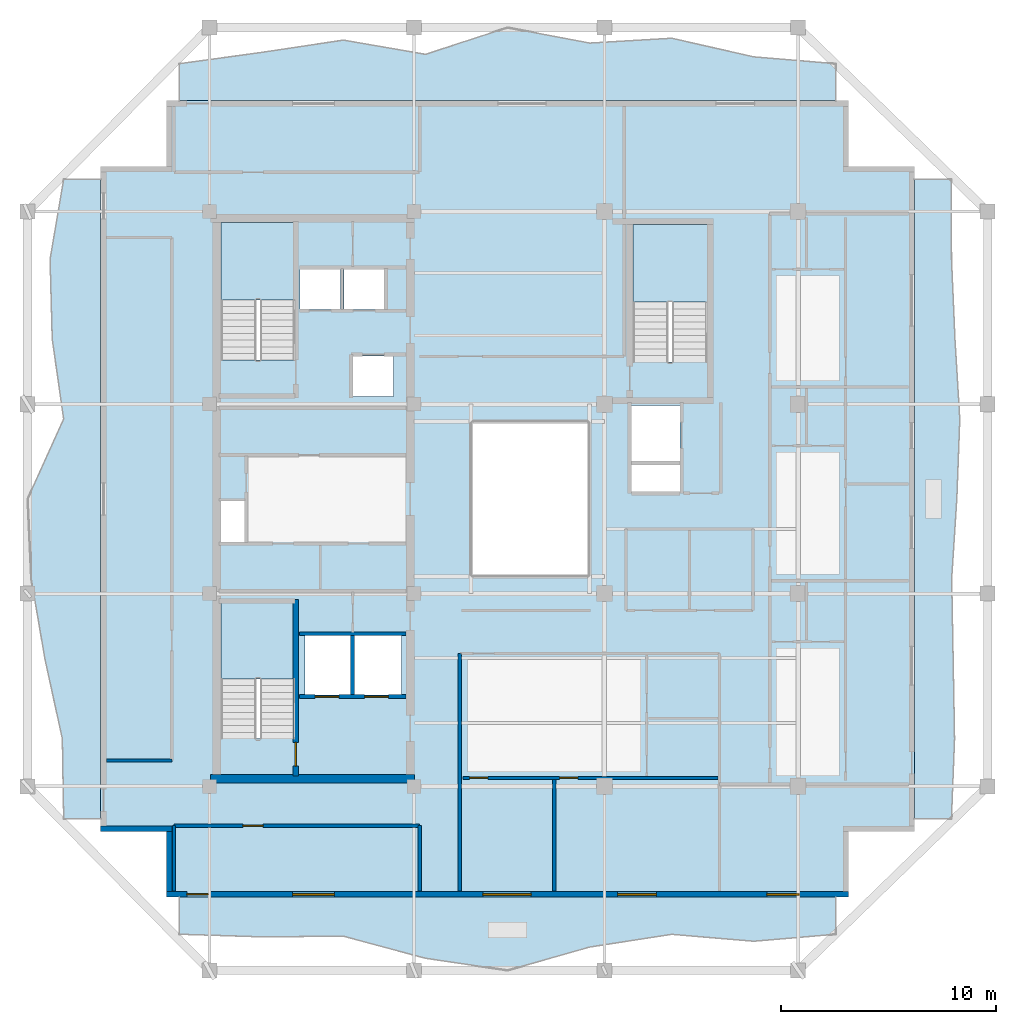
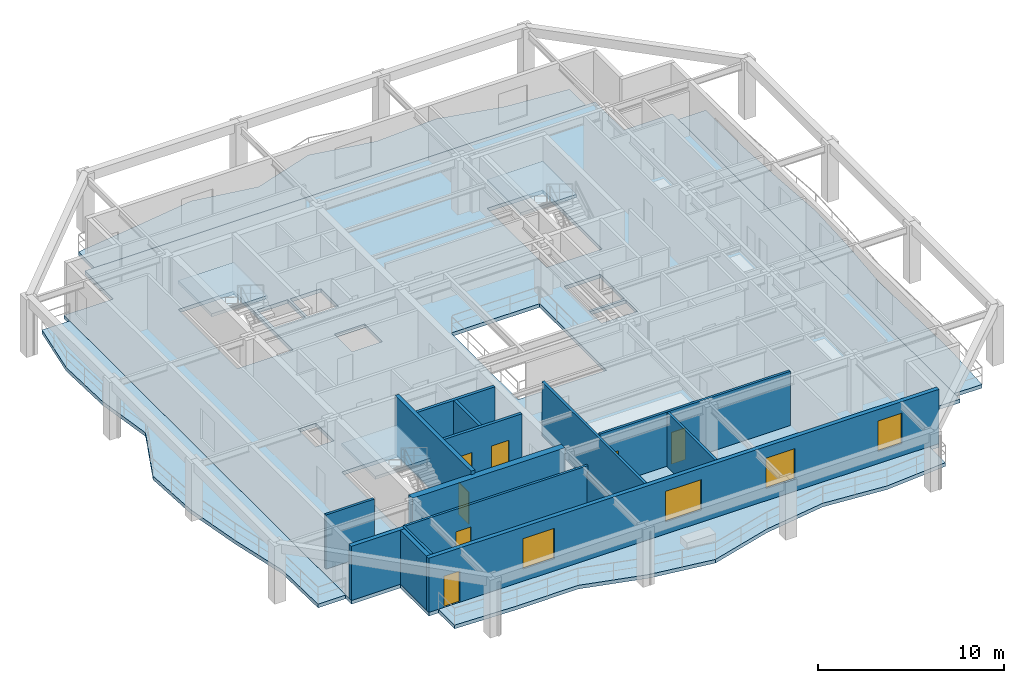
# One storey, part 2 of 10: 15 walls, 8 slabs, 7 doors, 4 windows, 11 openings, 3 elements without a shape of their own.
"""IFC4 building model written with IfcOpenShell, lengths in metres."""

from ifc_helpers import new_model, si_unit, direction, frame, frame_2d, origin, place, context, subcontext, project, spatial, polyline, rectangle, outline, extrude, material, layer, layer_set, type_object, element, fill, aggregate, save


model = new_model("IFC4")

# Units and contexts
model_context = context("Model", 3, precision=1e-05, world=origin(), true_north=direction((0.0, 1.0)))
body_context = subcontext(model_context, "Body", "Model", "MODEL_VIEW")
ifc_project = project(units=[si_unit("LENGTHUNIT", "METRE"), si_unit("AREAUNIT", "SQUARE_METRE"), si_unit("VOLUMEUNIT", "CUBIC_METRE"), si_unit("PLANEANGLEUNIT", "RADIAN"), si_unit("MASSUNIT", "GRAM", prefix="KILO")], contexts=[model_context])

# Site, building, storey
site_placement = place(None, origin())
site = spatial("IfcSite", under=ifc_project, at=site_placement, CompositionType="ELEMENT")
building_placement = place(site_placement, origin())
building = spatial("IfcBuilding", under=site, at=building_placement, Name="Kundavana Baori Tower", CompositionType="ELEMENT")
storey_placement = place(building_placement, frame((0.0, 0.0, 320.10009765625)))
storey = spatial("IfcBuildingStorey", under=building, at=storey_placement, Name="L79", CompositionType="ELEMENT", Elevation=320.10009765625)

# Slab
ifc_material_1 = material(Name="Concrete C40/50", Category="concrete")
ifc_layer_1 = layer(ifc_material_1, 0.239990234375, Name="SLB-FLR-240")
ifc_layer_set_1 = layer_set([ifc_layer_1], Name="Concrete C40/50")
slab_type_1 = type_object("IfcSlabType", Name="SLB-FLR-240", PredefinedType="FLOOR", material=ifc_layer_set_1)
slab_1_placement = place(storey_placement, frame((0.0, 0.0, -0.239990234375)))
element("IfcSlab", 1, at=slab_1_placement, inside=storey, type_object=slab_type_1, Name="L79 Structural Floor Slab", PredefinedType="FLOOR", context=body_context, shape_type="SweptSolid", body=[
    extrude(outline(polyline([(13.449951171875, 10.10009765625), (45.14990234375, 10.10009765625), (45.14990234375, 13.14990234375), (48.199951171875, 13.14990234375), (48.199951171875, 44.050048828125), (45.14990234375, 44.050048828125), (45.14990234375, 47.10009765625), (13.449951171875, 47.10009765625), (13.449951171875, 44.050048828125), (10.39990234375, 44.050048828125), (10.39990234375, 13.14990234375), (13.449951171875, 13.14990234375), (13.449951171875, 10.10009765625)]), holes=[polyline([(19.43994140625, 17.4619140625), (19.43994140625, 23.85009765625), (15.97998046875, 23.85009765625), (15.97998046875, 17.4619140625), (19.43994140625, 17.4619140625)]), polyline([(19.43994140625, 35.06201171875), (19.43994140625, 41.449951171875), (15.97998046875, 41.449951171875), (15.97998046875, 35.06201171875), (19.43994140625, 35.06201171875)]), polyline([(38.580078125, 34.9619140625), (38.580078125, 41.35009765625), (35.1201171875, 41.35009765625), (35.1201171875, 34.9619140625), (38.580078125, 34.9619140625)]), polyline([(19.64990234375, 37.39990234375), (21.550048828125, 37.39990234375), (21.550048828125, 39.300048828125), (19.64990234375, 39.300048828125), (19.64990234375, 37.39990234375)]), polyline([(21.699951171875, 37.39990234375), (23.60009765625, 37.39990234375), (23.60009765625, 39.300048828125), (21.699951171875, 39.300048828125), (21.699951171875, 37.39990234375)]), polyline([(22.10009765625, 33.35009765625), (24.0, 33.35009765625), (24.0, 35.25), (22.10009765625, 35.25), (22.10009765625, 33.35009765625)]), polyline([(19.8798828125, 19.5), (22.02001953125, 19.5), (22.02001953125, 22.25), (19.8798828125, 22.25), (19.8798828125, 19.5)]), polyline([(22.179931640625, 19.5), (24.3798828125, 19.5), (24.3798828125, 22.25), (22.179931640625, 22.25), (22.179931640625, 19.5)]), polyline([(35.050048828125, 30.35009765625), (37.300048828125, 30.35009765625), (37.300048828125, 32.949951171875), (35.050048828125, 32.949951171875), (35.050048828125, 30.35009765625)]), polyline([(15.949951171875, 26.60009765625), (17.080078125, 26.60009765625), (17.080078125, 28.5), (15.949951171875, 28.5), (15.949951171875, 26.60009765625)]), polyline([(35.050048828125, 28.949951171875), (37.300048828125, 28.949951171875), (37.300048828125, 30.199951171875), (35.050048828125, 30.199951171875), (35.050048828125, 28.949951171875)]), polyline([(27.60009765625, 25.0), (33.10009765625, 25.0), (33.10009765625, 32.199951171875), (27.60009765625, 32.199951171875), (27.60009765625, 25.0)])]), origin(), (0.0, 0.0, 1.0), 0.239990234375),
])

# Stair, slab
ifc_material_2 = material(Name="Concrete C40/50", Category="concrete")
stair_type = type_object("IfcStairType", Name="STR-DOG-1650", PredefinedType="HALF_TURN_STAIR", material=ifc_material_2)
stair_1_placement = place(storey_placement, origin())
stair_1 = element("IfcStair", 2, at=stair_1_placement, inside=storey, type_object=stair_type, Name="L79 Protected Exit Stair ST1", PredefinedType="HALF_TURN_STAIR")
ifc_material_3 = material(Name="Concrete C40/50", Category="concrete")
ifc_layer_2 = layer(ifc_material_3, 0.199951171875, Name="SLB-LND-200")
ifc_layer_set_2 = layer_set([ifc_layer_2], Name="Concrete C40/50")
slab_type_2 = type_object("IfcSlabType", Name="SLB-LND-200", PredefinedType="LANDING", material=ifc_layer_set_2)
slab_2_placement = place(storey_placement, frame((0.0, 0.0, 1.699951171875)))
slab_2 = element("IfcSlab", 3, at=slab_2_placement, type_object=slab_type_2, Name="ST1 landing 1", PredefinedType="LANDING", context=body_context, shape_type="SweptSolid", body=[
    extrude(outline(polyline([(19.43994140625, 20.239990234375), (19.43994140625, 23.85009765625), (15.97998046875, 23.85009765625), (15.97998046875, 20.239990234375), (19.43994140625, 20.239990234375)])), origin(), (0.0, 0.0, 1.0), 0.199951171875),
])
aggregate(stair_1, [slab_2])

stair_2_placement = place(storey_placement, origin())
stair_2 = element("IfcStair", 4, at=stair_2_placement, inside=storey, type_object=stair_type, Name="L79 Protected Exit Stair ST2", PredefinedType="HALF_TURN_STAIR")
slab_3_placement = place(storey_placement, frame((0.0, 0.0, 1.699951171875)))
slab_3 = element("IfcSlab", 5, at=slab_3_placement, type_object=slab_type_2, Name="ST2 landing 1", PredefinedType="LANDING", context=body_context, shape_type="SweptSolid", body=[
    extrude(outline(polyline([(19.43994140625, 37.840087890625), (19.43994140625, 41.449951171875), (15.97998046875, 41.449951171875), (15.97998046875, 37.840087890625), (19.43994140625, 37.840087890625)])), origin(), (0.0, 0.0, 1.0), 0.199951171875),
])
aggregate(stair_2, [slab_3])

stair_3_placement = place(storey_placement, origin())
stair_3 = element("IfcStair", 6, at=stair_3_placement, inside=storey, type_object=stair_type, Name="L79 Protected Exit Stair ST3", PredefinedType="HALF_TURN_STAIR")
slab_4_placement = place(storey_placement, frame((0.0, 0.0, 1.699951171875)))
slab_4 = element("IfcSlab", 7, at=slab_4_placement, type_object=slab_type_2, Name="ST3 landing 1", PredefinedType="LANDING", context=body_context, shape_type="SweptSolid", body=[
    extrude(outline(polyline([(38.580078125, 37.739990234375), (38.580078125, 41.35009765625), (35.1201171875, 41.35009765625), (35.1201171875, 37.739990234375), (38.580078125, 37.739990234375)])), origin(), (0.0, 0.0, 1.0), 0.199951171875),
])
aggregate(stair_3, [slab_4])

# Slabs
ifc_material_4 = material(Name="Concrete C40/50", Category="concrete")
ifc_layer_3 = layer(ifc_material_4, 0.239990234375, Name="SLB-LOG-240")
ifc_layer_set_3 = layer_set([ifc_layer_3], Name="Concrete C40/50")
slab_type_3 = type_object("IfcSlabType", Name="SLB-LOG-240", PredefinedType="FLOOR", material=ifc_layer_set_3)
slab_5_placement = place(storey_placement, frame((0.0, 0.0, -0.239990234375)))
element("IfcSlab", 8, at=slab_5_placement, inside=storey, type_object=slab_type_3, Name="L79 Planted Loggia Balcony Slab S", PredefinedType="FLOOR", context=body_context, shape_type="SweptSolid", body=[
    extrude(outline(polyline([(14.050048828125, 10.10009765625), (44.550048828125, 10.10009765625), (44.550048828125, 8.3798828125), (40.737060546875, 8.053955078125), (36.925048828125, 8.375), (33.112060546875, 7.783935546875), (29.300048828125, 6.699951171875), (25.487060546875, 7.262939453125), (21.675048828125, 8.2880859375), (17.863037109375, 8.259033203125), (14.050048828125, 8.3798828125), (14.050048828125, 10.10009765625)])), origin(), (0.0, 0.0, 1.0), 0.239990234375),
])
slab_6_placement = place(storey_placement, frame((0.0, 0.0, -0.239990234375)))
element("IfcSlab", 9, at=slab_6_placement, inside=storey, type_object=slab_type_3, Name="L79 Planted Loggia Balcony Slab E", PredefinedType="FLOOR", context=body_context, shape_type="SweptSolid", body=[
    extrude(outline(polyline([(48.199951171875, 13.75), (48.199951171875, 43.449951171875), (49.919921875, 43.449951171875), (49.923095703125, 39.738037109375), (50.083984375, 36.02490234375), (50.30810546875, 32.31201171875), (50.169921875, 28.60009765625), (49.930908203125, 24.887939453125), (49.9990234375, 21.175048828125), (50.06494140625, 17.4619140625), (49.919921875, 13.75), (48.199951171875, 13.75)])), origin(), (0.0, 0.0, 1.0), 0.239990234375),
])
slab_7_placement = place(storey_placement, frame((0.0, 0.0, -0.239990234375)))
element("IfcSlab", 10, at=slab_7_placement, inside=storey, type_object=slab_type_3, Name="L79 Planted Loggia Balcony Slab N", PredefinedType="FLOOR", context=body_context, shape_type="SweptSolid", body=[
    extrude(outline(polyline([(44.550048828125, 47.10009765625), (14.050048828125, 47.10009765625), (14.050048828125, 48.820068359375), (17.863037109375, 49.342041015625), (21.675048828125, 49.916015625), (25.487060546875, 49.2548828125), (29.300048828125, 50.5), (33.112060546875, 49.777099609375), (36.925048828125, 50.0029296875), (40.737060546875, 49.136962890625), (44.550048828125, 48.820068359375), (44.550048828125, 47.10009765625)])), origin(), (0.0, 0.0, 1.0), 0.239990234375),
])
slab_8_placement = place(storey_placement, frame((0.0, 0.0, -0.239990234375)))
element("IfcSlab", 11, at=slab_8_placement, inside=storey, type_object=slab_type_3, Name="L79 Planted Loggia Balcony Slab W", PredefinedType="FLOOR", context=body_context, shape_type="SweptSolid", body=[
    extrude(outline(polyline([(10.39990234375, 43.449951171875), (10.39990234375, 13.75), (8.679931640625, 13.75), (8.616943359375, 17.4619140625), (7.806884765625, 21.175048828125), (7.172119140625, 24.887939453125), (7.0, 28.60009765625), (8.678955078125, 32.31201171875), (8.14794921875, 36.02490234375), (8.047119140625, 39.738037109375), (8.679931640625, 43.449951171875), (10.39990234375, 43.449951171875)])), origin(), (0.0, 0.0, 1.0), 0.239990234375),
])

# Wall
ifc_material_5 = material(Name="Concrete C50/60", Category="concrete")
ifc_layer_4 = layer(ifc_material_5, 0.39990234375, Name="WL-CORE-400")
ifc_layer_set_4 = layer_set([ifc_layer_4], Name="Concrete C50/60")
wall_type_1 = type_object("IfcWallType", Name="WL-CORE-400", PredefinedType="SHEAR", material=ifc_layer_set_4)
wall_1_placement = place(storey_placement, frame((15.5, 15.610107421875, 0.0), z_axis=(0.0, 0.0, 1.0), x_axis=(1.0, 0.0, 0.0)))
element("IfcWall", 12, at=wall_1_placement, inside=storey, type_object=wall_type_1, Name="L79 Offset Core South Shear Wall", PredefinedType="SHEAR", context=body_context, shape_type="SweptSolid", body=[
    extrude(rectangle(XDim=9.47998046875, YDim=0.39990234375, at=frame_2d((4.739990234375, 0.0))), origin(), (0.0, 0.0, 1.0), 3.559814453125),
])

# Wall, opening, door
wall_2_placement = place(storey_placement, frame((19.4599609375, 15.739990234375, 0.0), z_axis=(0.0, 0.0, 1.0), x_axis=(0.0, 1.0, 0.0)))
wall_2 = element("IfcWall", 13, at=wall_2_placement, inside=storey, type_object=wall_type_1, Name="WL-L79-ST1-E", PredefinedType="SHEAR", context=body_context, shape_type="SweptSolid", body=[
    extrude(rectangle(XDim=8.199951171875, YDim=0.239990234375, at=frame_2d((4.10009765625, 0.0))), origin(), (0.0, 0.0, 1.0), 3.7998046875),
])
opening_1_placement = place(wall_2_placement, frame((0.449951171875, 0.0, 0.0)))
opening_1 = element("IfcOpeningElement", 14, at=opening_1_placement, cuts=wall_2, Name="Opening FD-110", PredefinedType="OPENING", context=body_context, shape_type="SweptSolid", body=[
    extrude(rectangle(XDim=1.10009765625, YDim=2.10009765625, at=frame_2d((0.550048828125, 1.050048828125))), frame((0.0, 0.1298828125, 0.0), z_axis=(0.0, -1.0, 0.0), x_axis=(1.0, 0.0, 0.0)), (0.0, 0.0, 1.0), 0.260009765625),
])
ifc_material_6 = material(Name="Galvanised Steel Fire-Rated Door Leaf", Category="steel")
door_type_1 = type_object("IfcDoorType", Name="DR-FD120-1100", OperationType="NOTDEFINED", PredefinedType="DOOR", material=ifc_material_6)
door_1_placement = place(opening_1_placement, origin())
door_1 = element("IfcDoor", 15, at=door_1_placement, inside=storey, type_object=door_type_1, Name="DR-L79-ST1", OperationType="SINGLE_SWING_LEFT", OverallHeight=2.10009765625, OverallWidth=1.10009765625, PredefinedType="DOOR", context=body_context, shape_type="SweptSolid", body=[
    extrude(rectangle(XDim=1.10009765625, YDim=2.10009765625, at=frame_2d((0.550048828125, 1.050048828125))), frame((0.0, 0.02490234375, 0.0), z_axis=(0.0, -1.0, 0.0), x_axis=(1.0, 0.0, 0.0)), (0.0, 0.0, 1.0), 0.050048828125),
])
fill(opening_1, door_1)

# Wall, openings, door, windows
ifc_material_7 = material(Name="Kiln-Fired Terracotta Brick-Slip Masonry on Concrete C40/50", Category="masonry")
ifc_layer_5 = layer(ifc_material_7, 0.260009765625, Name="WL-EXT-BRK-260")
ifc_layer_set_5 = layer_set([ifc_layer_5], Name="Kiln-Fired Terracotta Brick-Slip Masonry on Concrete C40/50")
wall_type_2 = type_object("IfcWallType", Name="WL-EXT-BRK-260", PredefinedType="SOLIDWALL", material=ifc_layer_set_5)
wall_3_placement = place(storey_placement, frame((13.449951171875, 10.22998046875, 0.0), z_axis=(0.0, 0.0, 1.0), x_axis=(1.0, 0.0, 0.0)))
wall_3 = element("IfcWall", 16, at=wall_3_placement, inside=storey, type_object=wall_type_2, Name="L79 Exterior Insulated Facade Wall 01", PredefinedType="SOLIDWALL", context=body_context, shape_type="SweptSolid", body=[
    extrude(rectangle(XDim=31.699951171875, YDim=0.260009765625, at=frame_2d((15.85009765625, 0.0))), origin(), (0.0, 0.0, 1.0), 3.559814453125),
])
opening_2_placement = place(wall_3_placement, frame((0.949951171875, 0.0, 0.0)))
opening_2 = element("IfcOpeningElement", 17, at=opening_2_placement, cuts=wall_3, Name="Opening BD-1", PredefinedType="OPENING", context=body_context, shape_type="SweptSolid", body=[
    extrude(rectangle(XDim=1.0, YDim=2.050048828125, at=frame_2d((0.5, 1.02490234375))), frame((0.0, 0.14013671875, 0.0), z_axis=(0.0, -1.0, 0.0), x_axis=(1.0, 0.0, 0.0)), (0.0, 0.0, 1.0), 0.280029296875),
])
opening_3_placement = place(wall_3_placement, frame((5.860107421875, 0.0, 0.800048828125)))
opening_3 = element("IfcOpeningElement", 18, at=opening_3_placement, cuts=wall_3, Name="Opening W-09", PredefinedType="OPENING", context=body_context, shape_type="SweptSolid", body=[
    extrude(rectangle(XDim=1.949951171875, YDim=2.0, at=frame_2d((0.97509765625, 1.0))), frame((0.0, 0.14013671875, 0.0), z_axis=(0.0, -1.0, 0.0), x_axis=(1.0, 0.0, 0.0)), (0.0, 0.0, 1.0), 0.280029296875),
])
opening_4_placement = place(wall_3_placement, frame((14.697998046875, 0.0, 0.800048828125)))
opening_4 = element("IfcOpeningElement", 19, at=opening_4_placement, cuts=wall_3, Name="Opening W-10", PredefinedType="OPENING", context=body_context, shape_type="SweptSolid", body=[
    extrude(rectangle(XDim=2.25, YDim=2.0, at=frame_2d((1.125, 1.0))), frame((0.0, 0.14013671875, 0.0), z_axis=(0.0, -1.0, 0.0), x_axis=(1.0, 0.0, 0.0)), (0.0, 0.0, 1.0), 0.280029296875),
])
opening_5_placement = place(wall_3_placement, frame((20.9580078125, 0.0, 0.800048828125)))
opening_5 = element("IfcOpeningElement", 20, at=opening_5_placement, cuts=wall_3, Name="Opening W-01", PredefinedType="OPENING", context=body_context, shape_type="SweptSolid", body=[
    extrude(rectangle(XDim=1.800048828125, YDim=2.0, at=frame_2d((0.89990234375, 1.0))), frame((0.0, 0.14013671875, 0.0), z_axis=(0.0, -1.0, 0.0), x_axis=(1.0, 0.0, 0.0)), (0.0, 0.0, 1.0), 0.280029296875),
])
opening_6_placement = place(wall_3_placement, frame((27.89501953125, 0.0, 0.800048828125)))
opening_6 = element("IfcOpeningElement", 21, at=opening_6_placement, cuts=wall_3, Name="Opening W-02", PredefinedType="OPENING", context=body_context, shape_type="SweptSolid", body=[
    extrude(rectangle(XDim=1.5, YDim=2.0, at=frame_2d((0.75, 1.0))), frame((0.0, 0.14013671875, 0.0), z_axis=(0.0, -1.0, 0.0), x_axis=(1.0, 0.0, 0.0)), (0.0, 0.0, 1.0), 0.280029296875),
])
ifc_material_8 = material(Name="Architectural Patinated Bronze Metalwork")
door_type_2 = type_object("IfcDoorType", Name="DR-EXT-LOG-1000", OperationType="NOTDEFINED", PredefinedType="DOOR", material=ifc_material_8)
door_2_placement = place(opening_2_placement, frame((1.0, 0.0, 0.0), z_axis=(0.0, 0.0, 1.0), x_axis=(-1.0, 0.0, 0.0)))
door_2 = element("IfcDoor", 22, at=door_2_placement, inside=storey, type_object=door_type_2, Name="L79 Loggia Balcony Access Door S", OperationType="SINGLE_SWING_LEFT", OverallHeight=2.050048828125, OverallWidth=1.0, PredefinedType="DOOR", context=body_context, shape_type="SweptSolid", body=[
    extrude(rectangle(XDim=1.0, YDim=2.050048828125, at=frame_2d((0.5, 1.02490234375))), frame((0.0, 0.02490234375, 0.0), z_axis=(0.0, -1.0, 0.0), x_axis=(1.0, 0.0, 0.0)), (0.0, 0.0, 1.0), 0.050048828125),
])
fill(opening_2, door_2)
ifc_material_9 = material(Name="Double-Glazed Solar-Control Low-E Insulated Glass", Category="glass")
window_type_1 = type_object("IfcWindowType", Name="WIN-LOG-1500x2000", PartitioningType="SINGLE_PANEL", PredefinedType="WINDOW", material=ifc_material_9)
window_1_placement = place(opening_6_placement, origin())
window_1 = element("IfcWindow", 23, at=window_1_placement, inside=storey, type_object=window_type_1, Name="L79 Recessed Loggia Window S-4", OverallHeight=2.0, OverallWidth=1.5, PartitioningType="SINGLE_PANEL", PredefinedType="WINDOW", context=body_context, shape_type="SweptSolid", body=[
    extrude(rectangle(XDim=1.5, YDim=2.0, at=frame_2d((0.75, 1.0))), frame((0.0, 0.030029296875, 0.0), z_axis=(0.0, -1.0, 0.0), x_axis=(1.0, 0.0, 0.0)), (0.0, 0.0, 1.0), 0.06005859375),
])
fill(opening_6, window_1)
ifc_material_10 = material(Name="Double-Glazed Solar-Control Low-E Insulated Glass", Category="glass")
window_type_2 = type_object("IfcWindowType", Name="WIN-LOG-1800x2000", PartitioningType="SINGLE_PANEL", PredefinedType="WINDOW", material=ifc_material_10)
window_2_placement = place(opening_5_placement, origin())
window_2 = element("IfcWindow", 24, at=window_2_placement, inside=storey, type_object=window_type_2, Name="L79 Recessed Loggia Window S-3", OverallHeight=2.0, OverallWidth=1.800048828125, PartitioningType="SINGLE_PANEL", PredefinedType="WINDOW", context=body_context, shape_type="SweptSolid", body=[
    extrude(rectangle(XDim=1.800048828125, YDim=2.0, at=frame_2d((0.89990234375, 1.0))), frame((0.0, 0.030029296875, 0.0), z_axis=(0.0, -1.0, 0.0), x_axis=(1.0, 0.0, 0.0)), (0.0, 0.0, 1.0), 0.06005859375),
])
fill(opening_5, window_2)
ifc_material_11 = material(Name="Double-Glazed Solar-Control Low-E Insulated Glass", Category="glass")
window_type_3 = type_object("IfcWindowType", Name="WIN-LOG-1950x2000", PartitioningType="SINGLE_PANEL", PredefinedType="WINDOW", material=ifc_material_11)
window_3_placement = place(opening_3_placement, origin())
window_3 = element("IfcWindow", 25, at=window_3_placement, inside=storey, type_object=window_type_3, Name="L79 Recessed Loggia Window S-1", OverallHeight=2.0, OverallWidth=1.949951171875, PartitioningType="SINGLE_PANEL", PredefinedType="WINDOW", context=body_context, shape_type="SweptSolid", body=[
    extrude(rectangle(XDim=1.949951171875, YDim=2.0, at=frame_2d((0.97509765625, 1.0))), frame((0.0, 0.030029296875, 0.0), z_axis=(0.0, -1.0, 0.0), x_axis=(1.0, 0.0, 0.0)), (0.0, 0.0, 1.0), 0.06005859375),
])
fill(opening_3, window_3)
ifc_material_12 = material(Name="Double-Glazed Solar-Control Low-E Insulated Glass", Category="glass")
window_type_4 = type_object("IfcWindowType", Name="WIN-LOG-2250x2000", PartitioningType="SINGLE_PANEL", PredefinedType="WINDOW", material=ifc_material_12)
window_4_placement = place(opening_4_placement, origin())
window_4 = element("IfcWindow", 26, at=window_4_placement, inside=storey, type_object=window_type_4, Name="L79 Recessed Loggia Window S-2", OverallHeight=2.0, OverallWidth=2.25, PartitioningType="SINGLE_PANEL", PredefinedType="WINDOW", context=body_context, shape_type="SweptSolid", body=[
    extrude(rectangle(XDim=2.25, YDim=2.0, at=frame_2d((1.125, 1.0))), frame((0.0, 0.030029296875, 0.0), z_axis=(0.0, -1.0, 0.0), x_axis=(1.0, 0.0, 0.0)), (0.0, 0.0, 1.0), 0.06005859375),
])
fill(opening_4, window_4)

# Walls
wall_4_placement = place(storey_placement, frame((10.39990234375, 13.280029296875, 0.0), z_axis=(0.0, 0.0, 1.0), x_axis=(1.0, 0.0, 0.0)))
element("IfcWall", 27, at=wall_4_placement, inside=storey, type_object=wall_type_2, Name="L79 Exterior Insulated Facade Wall 11", PredefinedType="SOLIDWALL", context=body_context, shape_type="SweptSolid", body=[
    extrude(rectangle(XDim=3.31005859375, YDim=0.260009765625, at=frame_2d((1.655029296875, 0.0))), origin(), (0.0, 0.0, 1.0), 3.559814453125),
])
wall_5_placement = place(storey_placement, frame((13.580078125, 13.14990234375, 0.0), z_axis=(0.0, 0.0, 1.0), x_axis=(0.0, -1.0, 0.0)))
element("IfcWall", 28, at=wall_5_placement, inside=storey, type_object=wall_type_2, Name="L79 Exterior Insulated Facade Wall 12", PredefinedType="SOLIDWALL", context=body_context, shape_type="SweptSolid", body=[
    extrude(rectangle(XDim=2.789794921875, YDim=0.260009765625, at=frame_2d((1.39501953125, 0.0))), origin(), (0.0, 0.0, 1.0), 3.559814453125),
])
ifc_material_13 = material(Name="Fire-Rated Gypsum Drywall on Galvanised Steel Studs", Category="steel")
ifc_layer_6 = layer(ifc_material_13, 0.14990234375, Name="WL-PART-150")
ifc_layer_set_6 = layer_set([ifc_layer_6], Name="Fire-Rated Gypsum Drywall on Galvanised Steel Studs")
wall_type_3 = type_object("IfcWallType", Name="WL-PART-150", PredefinedType="PARTITIONING", material=ifc_layer_set_6)
wall_6_placement = place(storey_placement, frame((27.080078125, 10.3798828125, 0.0), z_axis=(0.0, 0.0, 1.0), x_axis=(0.0, 1.0, 0.0)))
element("IfcWall", 29, at=wall_6_placement, inside=storey, type_object=wall_type_3, Name="WL-L79-RSW", PredefinedType="PARTITIONING", context=body_context, shape_type="SweptSolid", body=[
    extrude(rectangle(XDim=11.0400390625, YDim=0.14990234375, at=frame_2d((5.52001953125, 0.0))), origin(), (0.0, 0.0, 1.0), 3.559814453125),
])

# Wall, opening, door
wall_7_placement = place(storey_placement, frame((13.800048828125, 13.419921875, 0.0), z_axis=(0.0, 0.0, 1.0), x_axis=(1.0, 0.0, 0.0)))
wall_7 = element("IfcWall", 30, at=wall_7_placement, inside=storey, type_object=wall_type_3, Name="WL-L79-RSC", PredefinedType="PARTITIONING", context=body_context, shape_type="SweptSolid", body=[
    extrude(rectangle(XDim=11.419921875, YDim=0.14990234375, at=frame_2d((5.7099609375, 0.0))), origin(), (0.0, 0.0, 1.0), 3.559814453125),
])
opening_7_placement = place(wall_7_placement, frame((3.199951171875, 0.0, 0.0)))
opening_7 = element("IfcOpeningElement", 31, at=opening_7_placement, cuts=wall_7, Name="Opening ID-095", PredefinedType="OPENING", context=body_context, shape_type="SweptSolid", body=[
    extrude(rectangle(XDim=0.949951171875, YDim=2.080078125, at=frame_2d((0.47509765625, 1.0400390625))), frame((0.0, 0.0849609375, 0.0), z_axis=(0.0, -1.0, 0.0), x_axis=(1.0, 0.0, 0.0)), (0.0, 0.0, 1.0), 0.169921875),
])
ifc_material_14 = material(Name="Engineered Teak Solid-Core Timber Veneer", Category="wood")
door_type_3 = type_object("IfcDoorType", Name="DR-INT-950", OperationType="NOTDEFINED", PredefinedType="DOOR", material=ifc_material_14)
door_3_placement = place(opening_7_placement, frame((0.949951171875, 0.0, 0.0), z_axis=(0.0, 0.0, 1.0), x_axis=(-1.0, 0.0, 0.0)))
door_3 = element("IfcDoor", 32, at=door_3_placement, inside=storey, type_object=door_type_3, Name="DR-L79-RMSW", OperationType="SINGLE_SWING_LEFT", OverallHeight=2.080078125, OverallWidth=0.949951171875, PredefinedType="DOOR", context=body_context, shape_type="SweptSolid", body=[
    extrude(rectangle(XDim=0.949951171875, YDim=2.080078125, at=frame_2d((0.47509765625, 1.0400390625))), frame((0.0, 0.02490234375, 0.0), z_axis=(0.0, -1.0, 0.0), x_axis=(1.0, 0.0, 0.0)), (0.0, 0.0, 1.0), 0.050048828125),
])
fill(opening_7, door_3)

# Walls
wall_8_placement = place(storey_placement, frame((13.800048828125, 10.3798828125, 0.0), z_axis=(0.0, 0.0, 1.0), x_axis=(0.0, 1.0, 0.0)))
element("IfcWall", 33, at=wall_8_placement, inside=storey, type_object=wall_type_3, Name="WL-L79-RSCW", PredefinedType="PARTITIONING", context=body_context, shape_type="SweptSolid", body=[
    extrude(rectangle(XDim=3.0400390625, YDim=0.14990234375, at=frame_2d((1.52001953125, 0.0))), origin(), (0.0, 0.0, 1.0), 3.559814453125),
])
wall_9_placement = place(storey_placement, frame((25.219970703125, 10.3798828125, 0.0), z_axis=(0.0, 0.0, 1.0), x_axis=(0.0, 1.0, 0.0)))
element("IfcWall", 34, at=wall_9_placement, inside=storey, type_object=wall_type_3, Name="WL-L79-RSCE", PredefinedType="PARTITIONING", context=body_context, shape_type="SweptSolid", body=[
    extrude(rectangle(XDim=3.0400390625, YDim=0.14990234375, at=frame_2d((1.52001953125, 0.0))), origin(), (0.0, 0.0, 1.0), 3.10986328125),
])
wall_10_placement = place(storey_placement, frame((10.679931640625, 16.449951171875, 0.0), z_axis=(0.0, 0.0, 1.0), x_axis=(1.0, 0.0, 0.0)))
element("IfcWall", 35, at=wall_10_placement, inside=storey, type_object=wall_type_3, Name="WL-L79-RWS", PredefinedType="PARTITIONING", context=body_context, shape_type="SweptSolid", body=[
    extrude(rectangle(XDim=3.02001953125, YDim=0.14990234375, at=frame_2d((1.510009765625, 0.0))), origin(), (0.0, 0.0, 1.0), 3.559814453125),
])

# Wall, openings, doors
wall_11_placement = place(storey_placement, frame((27.239990234375, 15.64111328125, 0.0), z_axis=(0.0, 0.0, 1.0), x_axis=(1.0, 0.0, 0.0)))
wall_11 = element("IfcWall", 36, at=wall_11_placement, inside=storey, type_object=wall_type_3, Name="WL-L79-S1-HZ", PredefinedType="PARTITIONING", context=body_context, shape_type="SweptSolid", body=[
    extrude(rectangle(XDim=11.830078125, YDim=0.14990234375, at=frame_2d((5.9150390625, 0.0))), origin(), (0.0, 0.0, 1.0), 3.559814453125),
])
opening_8_placement = place(wall_11_placement, frame((0.300048828125, 0.0, 0.0)))
opening_8 = element("IfcOpeningElement", 37, at=opening_8_placement, cuts=wall_11, Name="Opening ID-085", PredefinedType="OPENING", context=body_context, shape_type="SweptSolid", body=[
    extrude(rectangle(XDim=0.85009765625, YDim=2.080078125, at=frame_2d((0.425048828125, 1.0400390625))), frame((0.0, 0.0849609375, 0.0), z_axis=(0.0, -1.0, 0.0), x_axis=(1.0, 0.0, 0.0)), (0.0, 0.0, 1.0), 0.169921875),
])
opening_9_placement = place(wall_11_placement, frame((4.47509765625, 0.0, 0.0)))
opening_9 = element("IfcOpeningElement", 38, at=opening_9_placement, cuts=wall_11, Name="Opening ID-085", PredefinedType="OPENING", context=body_context, shape_type="SweptSolid", body=[
    extrude(rectangle(XDim=0.85009765625, YDim=2.080078125, at=frame_2d((0.425048828125, 1.0400390625))), frame((0.0, 0.0849609375, 0.0), z_axis=(0.0, -1.0, 0.0), x_axis=(1.0, 0.0, 0.0)), (0.0, 0.0, 1.0), 0.169921875),
])
ifc_material_15 = material(Name="Engineered Teak Solid-Core Timber Veneer", Category="wood")
door_type_4 = type_object("IfcDoorType", Name="DR-INT-850", OperationType="NOTDEFINED", PredefinedType="DOOR", material=ifc_material_15)
door_4_placement = place(opening_8_placement, frame((0.85009765625, 0.0, 0.0), z_axis=(0.0, 0.0, 1.0), x_axis=(-1.0, 0.0, 0.0)))
door_4 = element("IfcDoor", 39, at=door_4_placement, inside=storey, type_object=door_type_4, Name="DR-L79-S1-B1", OperationType="SINGLE_SWING_LEFT", OverallHeight=2.080078125, OverallWidth=0.85009765625, PredefinedType="DOOR", context=body_context, shape_type="SweptSolid", body=[
    extrude(rectangle(XDim=0.85009765625, YDim=2.080078125, at=frame_2d((0.425048828125, 1.0400390625))), frame((0.0, 0.02490234375, 0.0), z_axis=(0.0, -1.0, 0.0), x_axis=(1.0, 0.0, 0.0)), (0.0, 0.0, 1.0), 0.050048828125),
])
fill(opening_8, door_4)
door_5_placement = place(opening_9_placement, frame((0.85009765625, 0.0, 0.0), z_axis=(0.0, 0.0, 1.0), x_axis=(-1.0, 0.0, 0.0)))
door_5 = element("IfcDoor", 40, at=door_5_placement, inside=storey, type_object=door_type_4, Name="DR-L79-S1-B2", OperationType="SINGLE_SWING_RIGHT", OverallHeight=2.080078125, OverallWidth=0.85009765625, PredefinedType="DOOR", context=body_context, shape_type="SweptSolid", body=[
    extrude(rectangle(XDim=0.85009765625, YDim=2.080078125, at=frame_2d((0.425048828125, 1.0400390625))), frame((0.0, 0.02490234375, 0.0), z_axis=(0.0, -1.0, 0.0), x_axis=(1.0, 0.0, 0.0)), (0.0, 0.0, 1.0), 0.050048828125),
])
fill(opening_9, door_5)

# Wall
wall_12_placement = place(storey_placement, frame((31.465087890625, 10.3798828125, 0.0), z_axis=(0.0, 0.0, 1.0), x_axis=(0.0, 1.0, 0.0)))
element("IfcWall", 41, at=wall_12_placement, inside=storey, type_object=wall_type_3, Name="WL-L79-S1-BDV", PredefinedType="PARTITIONING", context=body_context, shape_type="SweptSolid", body=[
    extrude(rectangle(XDim=5.18115234375, YDim=0.14990234375, at=frame_2d((2.590576171875, 0.0))), origin(), (0.0, 0.0, 1.0), 3.559814453125),
])

# Wall, openings, doors
ifc_material_16 = material(Name="Autoclaved Aerated Concrete Blockwork Masonry", Category="masonry")
ifc_layer_7 = layer(ifc_material_16, 0.179931640625, Name="WL-SHAFT-180")
ifc_layer_set_7 = layer_set([ifc_layer_7], Name="Autoclaved Aerated Concrete Blockwork Masonry")
wall_type_4 = type_object("IfcWallType", Name="WL-SHAFT-180", PredefinedType="SOLIDWALL", material=ifc_layer_set_7)
wall_13_placement = place(storey_placement, frame((19.639892578125, 19.419921875, 0.0), z_axis=(0.0, 0.0, 1.0), x_axis=(1.0, 0.0, 0.0)))
wall_13 = element("IfcWall", 42, at=wall_13_placement, inside=storey, type_object=wall_type_4, Name="WL-L79-FFL-S", PredefinedType="SOLIDWALL", context=body_context, shape_type="SweptSolid", body=[
    extrude(rectangle(XDim=4.940185546875, YDim=0.179931640625, at=frame_2d((2.47021484375, 0.0))), origin(), (0.0, 0.0, 1.0), 3.559814453125),
])
opening_10_placement = place(wall_13_placement, frame((0.719970703125, 0.0, 0.0)))
opening_10 = element("IfcOpeningElement", 43, at=opening_10_placement, cuts=wall_13, Name="Opening LD-110", PredefinedType="OPENING", context=body_context, shape_type="SweptSolid", body=[
    extrude(rectangle(XDim=1.10009765625, YDim=2.10009765625, at=frame_2d((0.550048828125, 1.050048828125))), frame((0.0, 0.10009765625, 0.0), z_axis=(0.0, -1.0, 0.0), x_axis=(1.0, 0.0, 0.0)), (0.0, 0.0, 1.0), 0.199951171875),
])
opening_11_placement = place(wall_13_placement, frame((3.02001953125, 0.0, 0.0)))
opening_11 = element("IfcOpeningElement", 44, at=opening_11_placement, cuts=wall_13, Name="Opening LD-110", PredefinedType="OPENING", context=body_context, shape_type="SweptSolid", body=[
    extrude(rectangle(XDim=1.10009765625, YDim=2.10009765625, at=frame_2d((0.550048828125, 1.050048828125))), frame((0.0, 0.10009765625, 0.0), z_axis=(0.0, -1.0, 0.0), x_axis=(1.0, 0.0, 0.0)), (0.0, 0.0, 1.0), 0.199951171875),
])
ifc_material_17 = material(Name="Galvanised Steel Fire-Rated Door Leaf", Category="steel")
door_type_5 = type_object("IfcDoorType", Name="DR-SLIDE-LD1100", OperationType="NOTDEFINED", PredefinedType="DOOR", material=ifc_material_17)
door_6_placement = place(opening_10_placement, origin())
door_6 = element("IfcDoor", 45, at=door_6_placement, inside=storey, type_object=door_type_5, Name="DR-L79-LD-FFL-1", OperationType="DOUBLE_DOOR_SLIDING", OverallHeight=2.10009765625, OverallWidth=1.10009765625, PredefinedType="DOOR", context=body_context, shape_type="SweptSolid", body=[
    extrude(rectangle(XDim=1.10009765625, YDim=2.10009765625, at=frame_2d((0.550048828125, 1.050048828125))), frame((0.0, 0.02490234375, 0.0), z_axis=(0.0, -1.0, 0.0), x_axis=(1.0, 0.0, 0.0)), (0.0, 0.0, 1.0), 0.050048828125),
])
fill(opening_10, door_6)
door_7_placement = place(opening_11_placement, origin())
door_7 = element("IfcDoor", 46, at=door_7_placement, inside=storey, type_object=door_type_5, Name="DR-L79-LD-FFL-2", OperationType="DOUBLE_DOOR_SLIDING", OverallHeight=2.10009765625, OverallWidth=1.10009765625, PredefinedType="DOOR", context=body_context, shape_type="SweptSolid", body=[
    extrude(rectangle(XDim=1.10009765625, YDim=2.10009765625, at=frame_2d((0.550048828125, 1.050048828125))), frame((0.0, 0.02490234375, 0.0), z_axis=(0.0, -1.0, 0.0), x_axis=(1.0, 0.0, 0.0)), (0.0, 0.0, 1.0), 0.050048828125),
])
fill(opening_11, door_7)

# Walls
wall_14_placement = place(storey_placement, frame((22.10009765625, 19.510009765625, 0.0), z_axis=(0.0, 0.0, 1.0), x_axis=(0.0, 1.0, 0.0)))
element("IfcWall", 47, at=wall_14_placement, inside=storey, type_object=wall_type_4, Name="WL-L79-FFL-MID", PredefinedType="SOLIDWALL", context=body_context, shape_type="SweptSolid", body=[
    extrude(rectangle(XDim=2.739990234375, YDim=0.179931640625, at=frame_2d((1.3701171875, 0.0))), origin(), (0.0, 0.0, 1.0), 3.559814453125),
])
wall_15_placement = place(storey_placement, frame((19.639892578125, 22.340087890625, 0.0), z_axis=(0.0, 0.0, 1.0), x_axis=(1.0, 0.0, 0.0)))
element("IfcWall", 48, at=wall_15_placement, inside=storey, type_object=wall_type_4, Name="WL-L79-FFL-N", PredefinedType="SOLIDWALL", context=body_context, shape_type="SweptSolid", body=[
    extrude(rectangle(XDim=4.940185546875, YDim=0.179931640625, at=frame_2d((2.47021484375, 0.0))), origin(), (0.0, 0.0, 1.0), 3.559814453125),
])

save(model, "model.ifc")
